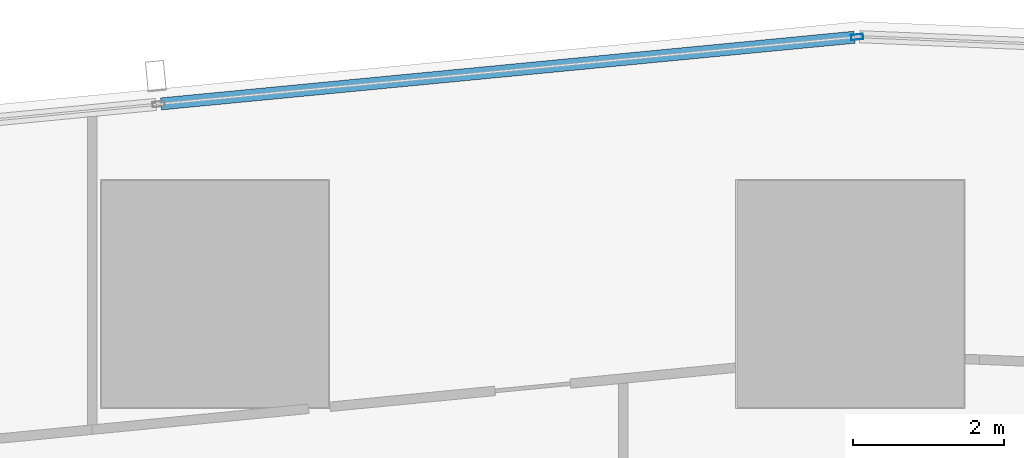
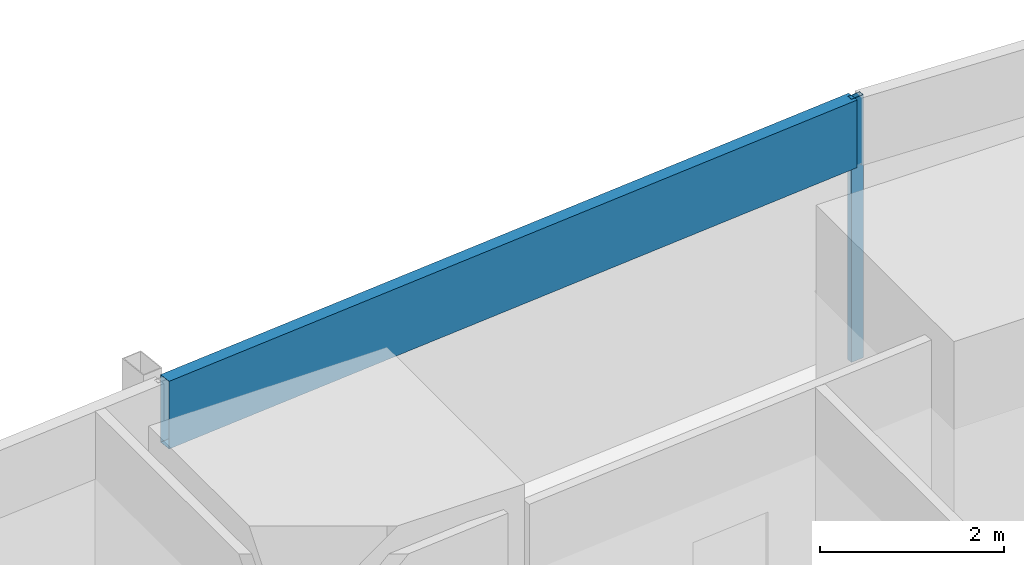
# One storey, part 17 of 45: 2 members, 1 element without a shape of its own.
"""IFC4 building model written with IfcOpenShell, lengths in metres."""

import ifcopenshell
import ifcopenshell.guid

model = None  # the IFC model being written
_history = None  # IfcOwnerHistory: only IFC2X3 demands one
_inside = {}  # id of a spatial element -> (the spatial element, [elements in it])
_under = {}  # id of a project, library or spatial element -> (it, [spatial elements below it])
_declared = {}  # id of a project -> (the project, [libraries it declares])
_typed = {}  # id of a type object -> (the type object, [elements of that type])
_made_of = {}  # id of a material, layer set ... -> (it, [elements and type objects made of it])


def new_model(schema):
    """Start an empty IFC model of exactly this schema.

    Asked for "IFC4X3", IfcOpenShell would pick the latest addendum, in which some entities
    have other attributes; the version numbers below select the first issue.
    IFC2X3 requires an IfcOwnerHistory on every rooted entity: one is made here for all.
    """
    global model, _history
    if schema == "IFC4X3":
        model = ifcopenshell.file(schema_version=(4, 3, 0, 0))
    else:
        model = ifcopenshell.file(schema=schema)
    _inside.clear()
    _under.clear()
    _declared.clear()
    _typed.clear()
    _made_of.clear()
    _history = None
    if model.schema == "IFC2X3":
        org = make("IfcOrganization", Name="unknown")
        user = make(
            "IfcPersonAndOrganization",
            ThePerson=make("IfcPerson", FamilyName="unknown"),
            TheOrganization=org,
        )
        app = make(
            "IfcApplication",
            ApplicationDeveloper=org,
            Version="unknown",
            ApplicationFullName="unknown",
            ApplicationIdentifier="unknown",
        )
        _history = make(
            "IfcOwnerHistory",
            OwningUser=user,
            OwningApplication=app,
            ChangeAction="ADDED",
            CreationDate=0,
        )
    return model


def make(cls, **values):
    """One entity of the class cls with the attributes given. An attribute that is None is left unset."""
    return model.create_entity(
        cls, **{name: value for name, value in values.items() if value is not None}
    )


def rooted(cls, **values):
    """An entity with a GlobalId (a new one), such as an element, a storey or a relation."""
    return make(cls, GlobalId=ifcopenshell.guid.new(), OwnerHistory=_history, **values)


def si_unit(unit_type, name, prefix=None):
    """IfcSIUnit, for example si_unit("LENGTHUNIT", "METRE", prefix="MILLI")."""
    return make("IfcSIUnit", UnitType=unit_type, Prefix=prefix, Name=name)


def assignment(units):
    """IfcUnitAssignment: the units of a project."""
    return None if units is None else make("IfcUnitAssignment", Units=units)


def point(xyz):
    """IfcCartesianPoint."""
    return None if xyz is None else make("IfcCartesianPoint", Coordinates=xyz)


def direction(xyz):
    """IfcDirection."""
    return None if xyz is None else make("IfcDirection", DirectionRatios=xyz)


def frame(location, z_axis=None, x_axis=None):
    """IfcAxis2Placement3D, a coordinate frame: its origin and axes. An axis left out is left unset."""
    return make(
        "IfcAxis2Placement3D",
        Location=point(location),
        Axis=direction(z_axis),
        RefDirection=direction(x_axis),
    )


def frame_2d(location, x_axis=None):
    """IfcAxis2Placement2D, a coordinate frame in the plane: its origin and x axis."""
    return make(
        "IfcAxis2Placement2D", Location=point(location), RefDirection=direction(x_axis)
    )


def origin():
    """The frame at (0, 0, 0) with its axes left unset."""
    return frame((0.0, 0.0, 0.0))


def origin_2d():
    """The frame at (0, 0) in the plane with its x axis left unset."""
    return frame_2d((0.0, 0.0))


def place(relative_to, where):
    """IfcLocalPlacement: puts the frame where relative to a parent placement (None: the world)."""
    return make(
        "IfcLocalPlacement", PlacementRelTo=relative_to, RelativePlacement=where
    )


def context(
    kind, dimensions, precision=None, world=None, true_north=None, identifier=None
):
    """IfcGeometricRepresentationContext, for example the 3D "Model" context."""
    return make(
        "IfcGeometricRepresentationContext",
        ContextIdentifier=identifier,
        ContextType=kind,
        CoordinateSpaceDimension=dimensions,
        Precision=precision,
        WorldCoordinateSystem=world,
        TrueNorth=true_north,
    )


def subcontext(parent, identifier, kind, view, scale=None):
    """IfcGeometricRepresentationSubContext, for example "Body" below "Model"."""
    return make(
        "IfcGeometricRepresentationSubContext",
        ContextIdentifier=identifier,
        ContextType=kind,
        ParentContext=parent,
        TargetScale=scale,
        TargetView=view,
    )


def project(units=None, contexts=None):
    """IfcProject with its units and contexts."""
    return rooted(
        "IfcProject",
        Name="project",
        RepresentationContexts=contexts,
        UnitsInContext=assignment(units),
    )


def spatial(cls, under=None, at=None, **own):
    """A site, building, storey or space (cls), placed at a placement, below another one or the project."""
    s = rooted(cls, ObjectPlacement=at, **own)
    if under is not None:
        _under.setdefault(under.id(), (under, []))[1].append(s)
    return s


def profile(cls, at=None, kind="AREA", **sizes):
    """A parametric profile (cls). Its sizes go by their IFC names, for example OverallWidth=200.0."""
    return make(cls, ProfileType=kind, Position=at, **sizes)


def hollow_rectangle(**sizes):
    """IfcRectangleHollowProfileDef."""
    return profile("IfcRectangleHollowProfileDef", **sizes)


def extrude(swept, where, along, depth):
    """IfcExtrudedAreaSolid: the profile swept, set in the frame where, extruded along a direction by depth."""
    return make(
        "IfcExtrudedAreaSolid",
        SweptArea=swept,
        Position=where,
        ExtrudedDirection=direction(along),
        Depth=depth,
    )


def shape(context_of_items, identifier, shape_type, items):
    """IfcShapeRepresentation: the items that make up one representation, for example the "Body"."""
    return make(
        "IfcShapeRepresentation",
        ContextOfItems=context_of_items,
        RepresentationIdentifier=identifier,
        RepresentationType=shape_type,
        Items=items,
    )


def material(Name=None, Category=None):
    """IfcMaterial."""
    return make("IfcMaterial", Name=Name, Category=Category)


def material_profile(
    of_material, cross_section, Name=None, Category=None, Priority=None
):
    """IfcMaterialProfile: a cross section and its material."""
    return make(
        "IfcMaterialProfile",
        Name=Name,
        Material=of_material,
        Profile=cross_section,
        Priority=Priority,
        Category=Category,
    )


def profile_set(profiles, Name=None, composite=None):
    """IfcMaterialProfileSet."""
    return make(
        "IfcMaterialProfileSet",
        Name=Name,
        MaterialProfiles=profiles,
        CompositeProfile=composite,
    )


def made_of(thing, what):
    """Note that an element or type object is made of a material, layer set ...; save() writes the relation."""
    if what is not None:
        _made_of.setdefault(what.id(), (what, []))[1].append(thing)
    return thing


def type_object(cls, material=None, **own):
    """A type object (cls), such as IfcWallType, which elements share."""
    return made_of(rooted(cls, **own), material)


def element(
    cls,
    number,
    at=None,
    inside=None,
    cuts=None,
    type_object=None,
    material=None,
    context=None,
    identifier="Body",
    shape_type=None,
    held_by="IfcProductDefinitionShape",
    body=None,
    shapes=None,
    **own,
):
    """One element of the class cls, such as IfcWall. Its Tag is "e" and its number.

    at: its placement. inside: the storey or other place that contains it. cuts: it is an
    opening in that element (IfcRelVoidsElement). A single representation is given by context,
    identifier, shape_type and body (its items); several are given by shapes. held_by: the class
    of the entity that holds the representations. save() writes the other relations.
    """
    e = rooted(cls, Tag="e%d" % number, ObjectPlacement=at, **own)
    if body is not None:
        shapes = [shape(context, identifier, shape_type, body)]
    if shapes is not None:
        e.Representation = make(held_by, Representations=shapes)
    if inside is not None:
        _inside.setdefault(inside.id(), (inside, []))[1].append(e)
    if cuts is not None:
        rooted(
            "IfcRelVoidsElement", RelatingBuildingElement=cuts, RelatedOpeningElement=e
        )
    if type_object is not None:
        _typed.setdefault(type_object.id(), (type_object, []))[1].append(e)
    return made_of(e, material)


def aggregate(whole, parts):
    """IfcRelAggregates: a whole, such as a stair, and the parts it consists of."""
    return rooted("IfcRelAggregates", RelatingObject=whole, RelatedObjects=parts)


def save(model, path):
    """Write the relations noted so far, then the file.

    IfcRelAggregates (storeys below a building ...), IfcRelContainedInSpatialStructure (elements
    in a storey), IfcRelDefinesByType, IfcRelAssociatesMaterial and IfcRelDeclares: one each for
    every whole, place, type object, material and project.
    """
    for whole, parts in _under.values():
        aggregate(whole, parts)
    for where, things in _inside.values():
        rooted(
            "IfcRelContainedInSpatialStructure",
            RelatedElements=things,
            RelatingStructure=where,
        )
    for kind, things in _typed.values():
        rooted("IfcRelDefinesByType", RelatedObjects=things, RelatingType=kind)
    for what, things in _made_of.values():
        rooted("IfcRelAssociatesMaterial", RelatedObjects=things, RelatingMaterial=what)
    for by, libraries in _declared.values():
        rooted("IfcRelDeclares", RelatingContext=by, RelatedDefinitions=libraries)
    model.write(path)


model = new_model("IFC4")

# Units and contexts
model_context = context("Model", 3, precision=1e-05, world=origin(), true_north=direction((0.0, 1.0)))
body_context = subcontext(model_context, "Body", "Model", "MODEL_VIEW")
ifc_project = project(units=[si_unit("LENGTHUNIT", "METRE"), si_unit("AREAUNIT", "SQUARE_METRE"), si_unit("VOLUMEUNIT", "CUBIC_METRE"), si_unit("PLANEANGLEUNIT", "RADIAN"), si_unit("MASSUNIT", "GRAM", prefix="KILO")], contexts=[model_context])

# Site, building, storey
site_placement = place(None, origin())
site = spatial("IfcSite", under=ifc_project, at=site_placement, CompositionType="ELEMENT")
building_placement = place(site_placement, origin())
building = spatial("IfcBuilding", under=site, at=building_placement, Name="Rekha Terrace Tower", CompositionType="ELEMENT")
storey_placement = place(building_placement, frame((0.0, 0.0, 77.89990234375)))
storey = spatial("IfcBuildingStorey", under=building, at=storey_placement, Name="L19", CompositionType="ELEMENT", Elevation=77.89990234375)

# Curtain wall, members
ifc_material_1 = material(Name="Aluminium framing", Category="aluminium")
curtain_wall_type = type_object("IfcCurtainWallType", Name="CW3 north unitised glazing", PredefinedType="USERDEFINED", material=ifc_material_1)
curtain_wall_placement = place(storey_placement, origin())
curtain_wall = element("IfcCurtainWall", 1, at=curtain_wall_placement, inside=storey, type_object=curtain_wall_type, Name="CW3 unitised curtain wall", ObjectType="UNITISED CURTAIN WALL", PredefinedType="USERDEFINED")
ifc_material_2 = material(Name="Aluminium mullion section", Category="aluminium")
ifc_material_profile_1 = material_profile(ifc_material_2, hollow_rectangle(XDim=0.070068359375, YDim=0.159912109375, WallThickness=0.00390625, at=origin_2d()), Name="AL RHS 70x160")
ifc_profile_set_1 = profile_set([ifc_material_profile_1], Name="Aluminium mullion section")
member_type_1 = type_object("IfcMemberType", Name="CW3 mullion RHS 70 x 160", PredefinedType="MULLION", material=ifc_profile_set_1)
member_1_placement = place(storey_placement, frame((25.29052734375, 62.1962890625, 0.0), z_axis=(0.0, 0.0, 1.0), x_axis=(0.095712406625, -0.995409029102, 0.0)))
member_1 = element("IfcMember", 2, at=member_1_placement, type_object=member_type_1, Name="CW3 mullion 1", PredefinedType="MULLION", context=body_context, shape_type="SweptSolid", body=[
    extrude(hollow_rectangle(XDim=0.070068359375, YDim=0.159912109375, WallThickness=0.00390625, at=origin_2d()), origin(), (0.0, 0.0, 1.0), 3.5),
])
ifc_material_3 = material(Name="Insulated aluminium spandrel box", Category="aluminium")
ifc_material_profile_2 = material_profile(ifc_material_3, hollow_rectangle(XDim=0.159912109375, YDim=0.89990234375, WallThickness=0.0029296875, at=origin_2d()), Name="AL SPANDREL BOX 160x900")
ifc_profile_set_2 = profile_set([ifc_material_profile_2], Name="Insulated aluminium spandrel box")
member_type_2 = type_object("IfcMemberType", Name="CW3 spandrel transom 160 x 900", PredefinedType="USERDEFINED", material=ifc_profile_set_2)
member_2_placement = place(storey_placement, frame((25.255859375, 62.19287109375, 3.050048828125), z_axis=(-0.995408446287, -0.095718467713, 0.0), x_axis=(0.095718467713, -0.995408446287, 0.0)))
member_2 = element("IfcMember", 3, at=member_2_placement, type_object=member_type_2, Name="CW3 spandrel transom 1", ObjectType="TRANSOM", PredefinedType="USERDEFINED", context=body_context, shape_type="SweptSolid", body=[
    extrude(hollow_rectangle(XDim=0.159912109375, YDim=0.89990234375, WallThickness=0.0029296875, at=origin_2d()), origin(), (0.0, 0.0, 1.0), 9.210205078125),
])
aggregate(curtain_wall, [member_1, member_2])

save(model, "model.ifc")
